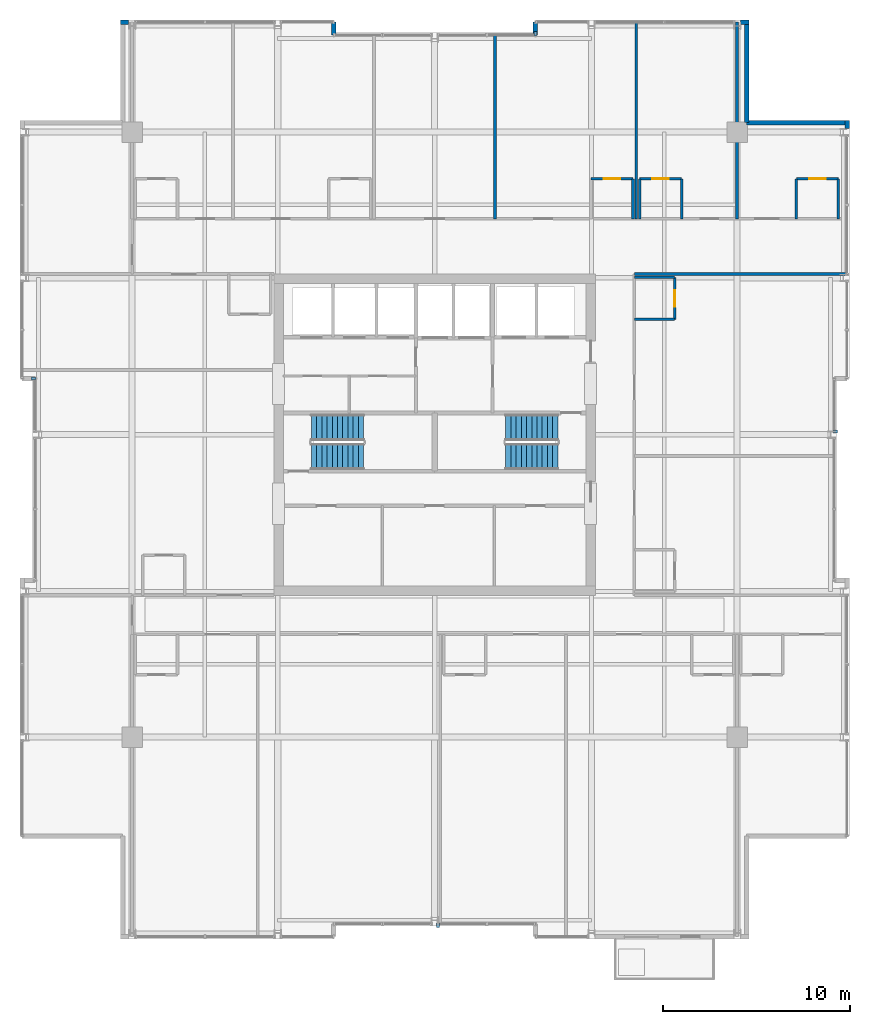
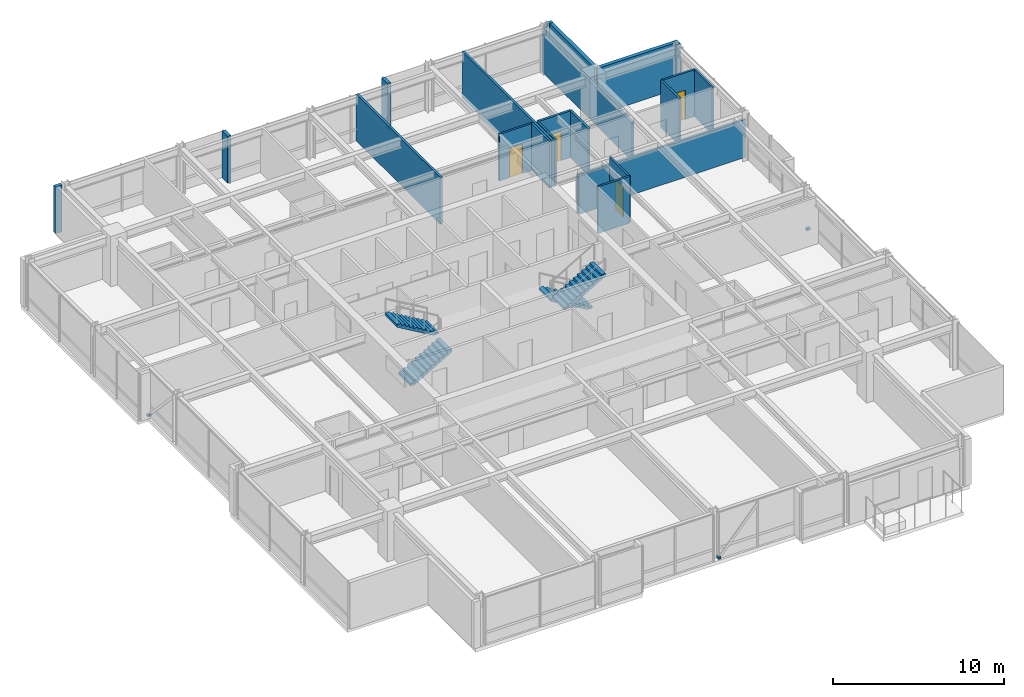
# One storey, part 29 of 32: 22 walls, 4 discrete accessories, 4 doors, 4 stair flights, 4 openings, 2 elements without a shape of their own.
"""IFC4 building model written with IfcOpenShell, lengths in metres."""

from ifc_helpers import new_model, si_unit, direction, frame, frame_2d, origin, origin_2d, place, context, subcontext, project, spatial, polyline, rectangle, outline, extrude, material, layer, layer_set, type_object, element, fill, aggregate, save


model = new_model("IFC4")

# Units and contexts
model_context = context("Model", 3, precision=1e-05, world=origin(), true_north=direction((0.0, 1.0)))
body_context = subcontext(model_context, "Body", "Model", "MODEL_VIEW")
ifc_project = project(units=[si_unit("LENGTHUNIT", "METRE"), si_unit("AREAUNIT", "SQUARE_METRE"), si_unit("VOLUMEUNIT", "CUBIC_METRE"), si_unit("PLANEANGLEUNIT", "RADIAN"), si_unit("MASSUNIT", "GRAM", prefix="KILO")], contexts=[model_context])

# Site, building, storey
site_placement = place(None, origin())
site = spatial("IfcSite", under=ifc_project, at=site_placement, CompositionType="ELEMENT")
building_placement = place(site_placement, origin())
building = spatial("IfcBuilding", under=site, at=building_placement, Name="Drelvath Grand Hotel", CompositionType="ELEMENT")
storey_placement = place(building_placement, frame((0.0, 0.0, 241.10009765625)))
storey = spatial("IfcBuildingStorey", under=building, at=storey_placement, Name="L63", CompositionType="ELEMENT", Elevation=241.10009765625)

# Walls
ifc_material_1 = material(Name="Gypsum Fireboard Partition")
ifc_layer_1 = layer(ifc_material_1, 0.135009765625)
ifc_layer_set_1 = layer_set([ifc_layer_1], Name="Gypsum Fireboard Partition")
wall_type_1 = type_object("IfcWallType", Name="Corridor Fire Barrier Wall 135", PredefinedType="PARTITIONING", material=ifc_layer_set_1)
wall_1_placement = place(storey_placement, frame((10.699951171875, 35.60009765625, 0.0), z_axis=(0.0, 0.0, 1.0), x_axis=(1.0, 0.0, 0.0)))
element("IfcWall", 1, at=wall_1_placement, inside=storey, type_object=wall_type_1, Name="L63 North Gallery Inner East Wall", PredefinedType="PARTITIONING", context=body_context, shape_type="SweptSolid", body=[
    extrude(rectangle(XDim=11.380126953125, YDim=0.135009765625, at=frame_2d((5.68994140625, 0.0))), origin(), (0.0, 0.0, 1.0), 2.71728515625),
])
ifc_material_2 = material(Name="Moisture-Resistant Gypsum Board")
ifc_layer_2 = layer(ifc_material_2, 0.139892578125)
ifc_layer_set_2 = layer_set([ifc_layer_2], Name="Moisture-Resistant Gypsum Board")
wall_type_2 = type_object("IfcWallType", Name="En-Suite Plumbing Wall 140", PredefinedType="PLUMBINGWALL", material=ifc_layer_set_2)
for number, where, z_axis, x_axis, name in (
    (2, (19.3701171875, 38.550048828125, 0.0), (0.0, 0.0, 1.0), (0.0, 1.0, 0.0), "L63 En-Suite Left Wall"),
    (3, (21.6201171875, 38.550048828125, 0.0), (0.0, 0.0, 1.0), (0.0, 1.0, 0.0), "L63 En-Suite Right Wall"),
):
    element("IfcWall", number, at=place(storey_placement, frame(where, z_axis=z_axis, x_axis=x_axis)), inside=storey, type_object=wall_type_2, Name=name, PredefinedType="PLUMBINGWALL", context=body_context, shape_type="SweptSolid", body=[
        extrude(rectangle(XDim=2.14990234375, YDim=0.139892578125, at=frame_2d((1.074951171875, 0.0))), origin(), (0.0, 0.0, 1.0), 3.33984375),
    ])

# Wall, opening, door
wall_2_placement = place(storey_placement, frame((19.3701171875, 40.699951171875, 0.0), z_axis=(0.0, 0.0, 1.0), x_axis=(1.0, 0.0, 0.0)))
wall_2 = element("IfcWall", 4, at=wall_2_placement, inside=storey, type_object=wall_type_2, Name="L63 En-Suite Front Wall", PredefinedType="PLUMBINGWALL", context=body_context, shape_type="SweptSolid", body=[
    extrude(rectangle(XDim=2.25, YDim=0.139892578125, at=frame_2d((1.125, 0.0))), origin(), (0.0, 0.0, 1.0), 3.33984375),
])
opening_1_placement = place(wall_2_placement, frame((0.68505859375, 0.0, 0.0)))
opening_1 = element("IfcOpeningElement", 5, at=opening_1_placement, cuts=wall_2, Name="Opening D-T4G4-023", PredefinedType="OPENING", context=body_context, shape_type="SweptSolid", body=[
    extrude(rectangle(XDim=0.8798828125, YDim=2.10009765625, at=frame_2d((0.43994140625, 1.050048828125))), frame((0.0, 0.079833984375, 0.0), z_axis=(0.0, -1.0, 0.0), x_axis=(1.0, 0.0, 0.0)), (0.0, 0.0, 1.0), 0.159912109375),
])
ifc_material_3 = material(Name="Hardwood Walnut Timber", Category="wood")
door_type = type_object("IfcDoorType", Name="En-Suite Bathroom Door 880x2100", OperationType="NOTDEFINED", PredefinedType="DOOR", material=ifc_material_3)
door_1_placement = place(opening_1_placement, origin())
door_1 = element("IfcDoor", 6, at=door_1_placement, inside=storey, type_object=door_type, Name="L63 En-Suite Bathroom Door", OperationType="SINGLE_SWING_RIGHT", OverallHeight=2.10009765625, OverallWidth=0.8798828125, PredefinedType="DOOR", context=body_context, shape_type="SweptSolid", body=[
    extrude(rectangle(XDim=0.8798828125, YDim=2.10009765625, at=frame_2d((0.43994140625, 1.050048828125))), frame((0.0, 0.02490234375, 0.0), z_axis=(0.0, -1.0, 0.0), x_axis=(1.0, 0.0, 0.0)), (0.0, 0.0, 1.0), 0.050048828125),
])
fill(opening_1, door_1)

# Wall
wall_3_placement = place(storey_placement, frame((10.6201171875, 38.550048828125, 0.0), z_axis=(0.0, 0.0, 1.0), x_axis=(0.0, 1.0, 0.0)))
element("IfcWall", 7, at=wall_3_placement, inside=storey, type_object=wall_type_2, Name="L63 En-Suite Right Wall", PredefinedType="PLUMBINGWALL", context=body_context, shape_type="SweptSolid", body=[
    extrude(rectangle(XDim=2.14990234375, YDim=0.139892578125, at=frame_2d((1.074951171875, 0.0))), origin(), (0.0, 0.0, 1.0), 3.33984375),
])

# Wall, opening, door
wall_4_placement = place(storey_placement, frame((8.3701171875, 40.699951171875, 0.0), z_axis=(0.0, 0.0, 1.0), x_axis=(1.0, 0.0, 0.0)))
wall_4 = element("IfcWall", 8, at=wall_4_placement, inside=storey, type_object=wall_type_2, Name="L63 En-Suite Front Wall", PredefinedType="PLUMBINGWALL", context=body_context, shape_type="SweptSolid", body=[
    extrude(rectangle(XDim=2.25, YDim=0.139892578125, at=frame_2d((1.125, 0.0))), origin(), (0.0, 0.0, 1.0), 3.33984375),
])
opening_2_placement = place(wall_4_placement, frame((0.68505859375, 0.0, 0.0)))
opening_2 = element("IfcOpeningElement", 9, at=opening_2_placement, cuts=wall_4, Name="Opening D-T4G4-037", PredefinedType="OPENING", context=body_context, shape_type="SweptSolid", body=[
    extrude(rectangle(XDim=0.8798828125, YDim=2.10009765625, at=frame_2d((0.43994140625, 1.050048828125))), frame((0.0, 0.079833984375, 0.0), z_axis=(0.0, -1.0, 0.0), x_axis=(1.0, 0.0, 0.0)), (0.0, 0.0, 1.0), 0.159912109375),
])
door_2_placement = place(opening_2_placement, origin())
door_2 = element("IfcDoor", 10, at=door_2_placement, inside=storey, type_object=door_type, Name="L63 En-Suite Bathroom Door", OperationType="SINGLE_SWING_RIGHT", OverallHeight=2.10009765625, OverallWidth=0.8798828125, PredefinedType="DOOR", context=body_context, shape_type="SweptSolid", body=[
    extrude(rectangle(XDim=0.8798828125, YDim=2.10009765625, at=frame_2d((0.43994140625, 1.050048828125))), frame((0.0, 0.02490234375, 0.0), z_axis=(0.0, -1.0, 0.0), x_axis=(1.0, 0.0, 0.0)), (0.0, 0.0, 1.0), 0.050048828125),
])
fill(opening_2, door_2)

# Walls
for number, where, z_axis, x_axis, name in (
    (11, (10.97998046875, 38.550048828125, 0.0), (0.0, 0.0, 1.0), (0.0, 1.0, 0.0), "L63 En-Suite Left Wall"),
    (12, (13.22998046875, 38.550048828125, 0.0), (0.0, 0.0, 1.0), (0.0, 1.0, 0.0), "L63 En-Suite Right Wall"),
):
    element("IfcWall", number, at=place(storey_placement, frame(where, z_axis=z_axis, x_axis=x_axis)), inside=storey, type_object=wall_type_2, Name=name, PredefinedType="PLUMBINGWALL", context=body_context, shape_type="SweptSolid", body=[
        extrude(rectangle(XDim=2.14990234375, YDim=0.139892578125, at=frame_2d((1.074951171875, 0.0))), origin(), (0.0, 0.0, 1.0), 3.33984375),
    ])

# Wall, opening, door
wall_5_placement = place(storey_placement, frame((10.97998046875, 40.699951171875, 0.0), z_axis=(0.0, 0.0, 1.0), x_axis=(1.0, 0.0, 0.0)))
wall_5 = element("IfcWall", 13, at=wall_5_placement, inside=storey, type_object=wall_type_2, Name="L63 En-Suite Front Wall", PredefinedType="PLUMBINGWALL", context=body_context, shape_type="SweptSolid", body=[
    extrude(rectangle(XDim=2.25, YDim=0.139892578125, at=frame_2d((1.125, 0.0))), origin(), (0.0, 0.0, 1.0), 3.33984375),
])
opening_3_placement = place(wall_5_placement, frame((0.68505859375, 0.0, 0.0)))
opening_3 = element("IfcOpeningElement", 14, at=opening_3_placement, cuts=wall_5, Name="Opening D-T4G4-039", PredefinedType="OPENING", context=body_context, shape_type="SweptSolid", body=[
    extrude(rectangle(XDim=0.8798828125, YDim=2.10009765625, at=frame_2d((0.43994140625, 1.050048828125))), frame((0.0, 0.079833984375, 0.0), z_axis=(0.0, -1.0, 0.0), x_axis=(1.0, 0.0, 0.0)), (0.0, 0.0, 1.0), 0.159912109375),
])
door_3_placement = place(opening_3_placement, origin())
door_3 = element("IfcDoor", 15, at=door_3_placement, inside=storey, type_object=door_type, Name="L63 En-Suite Bathroom Door", OperationType="SINGLE_SWING_RIGHT", OverallHeight=2.10009765625, OverallWidth=0.8798828125, PredefinedType="DOOR", context=body_context, shape_type="SweptSolid", body=[
    extrude(rectangle(XDim=0.8798828125, YDim=2.10009765625, at=frame_2d((0.43994140625, 1.050048828125))), frame((0.0, 0.02490234375, 0.0), z_axis=(0.0, -1.0, 0.0), x_axis=(1.0, 0.0, 0.0)), (0.0, 0.0, 1.0), 0.050048828125),
])
fill(opening_3, door_3)

# Walls
wall_6_placement = place(storey_placement, frame((10.699951171875, 33.169921875, 0.0), z_axis=(0.0, 0.0, 1.0), x_axis=(1.0, 0.0, 0.0)))
element("IfcWall", 16, at=wall_6_placement, inside=storey, type_object=wall_type_2, Name="L63 En-Suite Left Wall", PredefinedType="PLUMBINGWALL", context=body_context, shape_type="SweptSolid", body=[
    extrude(rectangle(XDim=2.150146484375, YDim=0.139892578125, at=frame_2d((1.0751953125, 0.0))), origin(), (0.0, 0.0, 1.0), 3.33984375),
])
wall_7_placement = place(storey_placement, frame((10.699951171875, 35.419921875, 0.0), z_axis=(0.0, 0.0, 1.0), x_axis=(1.0, 0.0, 0.0)))
element("IfcWall", 17, at=wall_7_placement, inside=storey, type_object=wall_type_2, Name="L63 En-Suite Right Wall", PredefinedType="PLUMBINGWALL", context=body_context, shape_type="SweptSolid", body=[
    extrude(rectangle(XDim=2.150146484375, YDim=0.139892578125, at=frame_2d((1.0751953125, 0.0))), origin(), (0.0, 0.0, 1.0), 2.71728515625),
])

# Wall, opening, door
wall_8_placement = place(storey_placement, frame((12.85009765625, 33.169921875, 0.0), z_axis=(0.0, 0.0, 1.0), x_axis=(0.0, 1.0, 0.0)))
wall_8 = element("IfcWall", 18, at=wall_8_placement, inside=storey, type_object=wall_type_2, Name="L63 En-Suite Front Wall", PredefinedType="PLUMBINGWALL", context=body_context, shape_type="SweptSolid", body=[
    extrude(rectangle(XDim=2.25, YDim=0.139892578125, at=frame_2d((1.125, 0.0))), origin(), (0.0, 0.0, 1.0), 3.33984375),
])
opening_4_placement = place(wall_8_placement, frame((0.68505859375, 0.0, 0.0)))
opening_4 = element("IfcOpeningElement", 19, at=opening_4_placement, cuts=wall_8, Name="Opening D-T4G4-043", PredefinedType="OPENING", context=body_context, shape_type="SweptSolid", body=[
    extrude(rectangle(XDim=0.8798828125, YDim=2.10009765625, at=frame_2d((0.43994140625, 1.050048828125))), frame((0.0, 0.079833984375, 0.0), z_axis=(0.0, -1.0, 0.0), x_axis=(1.0, 0.0, 0.0)), (0.0, 0.0, 1.0), 0.159912109375),
])
door_4_placement = place(opening_4_placement, origin())
door_4 = element("IfcDoor", 20, at=door_4_placement, inside=storey, type_object=door_type, Name="L63 En-Suite Bathroom Door", OperationType="SINGLE_SWING_RIGHT", OverallHeight=2.10009765625, OverallWidth=0.8798828125, PredefinedType="DOOR", context=body_context, shape_type="SweptSolid", body=[
    extrude(rectangle(XDim=0.8798828125, YDim=2.10009765625, at=frame_2d((0.43994140625, 1.050048828125))), frame((0.0, 0.02490234375, 0.0), z_axis=(0.0, -1.0, 0.0), x_axis=(1.0, 0.0, 0.0)), (0.0, 0.0, 1.0), 0.050048828125),
])
fill(opening_4, door_4)

# Walls
ifc_material_4 = material(Name="Gypsum Acoustic Partition")
ifc_layer_3 = layer(ifc_material_4, 0.14990234375)
ifc_layer_set_3 = layer_set([ifc_layer_3], Name="Gypsum Acoustic Partition")
wall_type_3 = type_object("IfcWallType", Name="Guestroom Demising Wall 150", PredefinedType="PARTITIONING", material=ifc_layer_set_3)
wall_9_placement = place(storey_placement, frame((3.239990234375, 38.550048828125, 0.0), z_axis=(0.0, 0.0, 1.0), x_axis=(0.0, 1.0, 0.0)))
element("IfcWall", 21, at=wall_9_placement, inside=storey, type_object=wall_type_3, Name="L63 North Demising 3", PredefinedType="PARTITIONING", context=body_context, shape_type="SweptSolid", body=[
    extrude(rectangle(XDim=9.849853515625, YDim=0.14990234375, at=frame_2d((4.9248046875, 0.0))), origin(), (0.0, 0.0, 1.0), 3.33984375),
])
wall_10_placement = place(storey_placement, frame((10.800048828125, 38.550048828125, 0.0), z_axis=(0.0, 0.0, 1.0), x_axis=(0.0, 1.0, 0.0)))
element("IfcWall", 22, at=wall_10_placement, inside=storey, type_object=wall_type_3, Name="L63 North Demising 4", PredefinedType="PARTITIONING", context=body_context, shape_type="SweptSolid", body=[
    extrude(rectangle(XDim=10.530029296875, YDim=0.14990234375, at=frame_2d((5.26513671875, 0.0))), origin(), (0.0, 0.0, 1.0), 3.33984375),
])
ifc_layer_4 = layer(ifc_material_4, 0.1650390625)
ifc_layer_set_4 = layer_set([ifc_layer_4], Name="Gypsum Acoustic Partition")
wall_type_4 = type_object("IfcWallType", Name="Suite Demising Wall 165", PredefinedType="PARTITIONING", material=ifc_layer_set_4)
wall_11_placement = place(storey_placement, frame((16.199951171875, 38.550048828125, 0.0), z_axis=(0.0, 0.0, 1.0), x_axis=(0.0, 1.0, 0.0)))
element("IfcWall", 23, at=wall_11_placement, inside=storey, type_object=wall_type_4, Name="L63 NE Suite Wall", PredefinedType="PARTITIONING", context=body_context, shape_type="SweptSolid", body=[
    extrude(rectangle(XDim=10.530029296875, YDim=0.1650390625, at=frame_2d((5.26513671875, 0.0))), origin(), (0.0, 0.0, 1.0), 2.713623046875),
])
ifc_material_5 = material(Name="Pale-Metal Insulated Aluminium Spandrel Assembly", Category="aluminium")
ifc_layer_5 = layer(ifc_material_5, 0.239990234375)
ifc_layer_set_5 = layer_set([ifc_layer_5], Name="Pale-Metal Insulated Aluminium Spandrel Assembly")
wall_type_5 = type_object("IfcWallType", Name="Tower Insulated Metal Spandrel Closure Wall 240", PredefinedType="STANDARD", material=ifc_layer_set_5)
for number, where, z_axis, x_axis, name in (
    (24, (22.080078125, 43.820068359375, 0.0), (0.0, 0.0, 1.0), (0.0, -1.0, 0.0), "L63 Corner Pier Spandrel Wall EN3"),
    (25, (-16.820068359375, 49.080078125, 0.0), (0.0, 0.0, 1.0), (1.0, 0.0, 0.0), "L63 Corner Pier Spandrel Wall NW1"),
    (26, (16.378173828125, 49.080078125, 0.0), (0.0, 0.0, 1.0), (1.0, 0.0, 0.0), "L63 Corner Pier Spandrel Wall NE3"),
):
    element("IfcWall", number, at=place(storey_placement, frame(where, z_axis=z_axis, x_axis=x_axis)), inside=storey, type_object=wall_type_5, Name=name, PredefinedType="STANDARD", context=body_context, shape_type="SweptSolid", body=[
        extrude(rectangle(XDim=0.44189453125, YDim=0.239990234375, at=frame_2d((0.220947265625, 0.0))), origin(), (0.0, 0.0, 1.0), 3.33984375),
    ])
for number, where, z_axis, x_axis, name in (
    (27, (16.699951171875, 48.9599609375, 0.0), (0.0, 0.0, 1.0), (0.0, -1.0, 0.0), "L63 Notched Corner Return Spandrel Wall CNE1"),
    (28, (16.699951171875, 43.699951171875, 0.0), (0.0, 0.0, 1.0), (1.0, 0.0, 0.0), "L63 Notched Corner Return Spandrel Wall CNE2"),
):
    element("IfcWall", number, at=place(storey_placement, frame(where, z_axis=z_axis, x_axis=x_axis)), inside=storey, type_object=wall_type_5, Name=name, PredefinedType="STANDARD", context=body_context, shape_type="SweptSolid", body=[
        extrude(rectangle(XDim=5.260009765625, YDim=0.239990234375, at=frame_2d((2.6298828125, 0.0))), origin(), (0.0, 0.0, 1.0), 3.33984375),
    ])
for number, where, z_axis, x_axis, name in (
    (29, (-5.39990234375, 49.080078125, 0.0), (0.0, 0.0, 1.0), (0.0, -1.0, 0.0), "L63 Notched Corner Return Spandrel Wall RN1"),
    (30, (5.39990234375, 48.39990234375, 0.0), (0.0, 0.0, 1.0), (0.0, 1.0, 0.0), "L63 Notched Corner Return Spandrel Wall RN2"),
):
    element("IfcWall", number, at=place(storey_placement, frame(where, z_axis=z_axis, x_axis=x_axis)), inside=storey, type_object=wall_type_5, Name=name, PredefinedType="STANDARD", context=body_context, shape_type="SweptSolid", body=[
        extrude(rectangle(XDim=0.68017578125, YDim=0.239990234375, at=frame_2d((0.340087890625, 0.0))), origin(), (0.0, 0.0, 1.0), 3.33984375),
    ])

# Stair, stair flights
ifc_material_6 = material(Name="Concrete C40/50", Category="concrete")
stair_type = type_object("IfcStairType", Name="Dogleg Exit Stair W1400-R163.6", PredefinedType="HALF_TURN_STAIR", material=ifc_material_6)
stair_1_placement = place(storey_placement, origin())
stair_1 = element("IfcStair", 31, at=stair_1_placement, inside=storey, type_object=stair_type, Name="L63 Core Exit Stair ST-1", PredefinedType="HALF_TURN_STAIR")
stair_flight_type = type_object("IfcStairFlightType", Name="Concrete Stair Flight W1400-R163.6", PredefinedType="STRAIGHT", material=ifc_material_6)
stair_flight_1_placement = place(storey_placement, frame((-6.60009765625, 25.820068359375, 0.0), z_axis=(0.0, 0.0, 1.0), x_axis=(1.0, 0.0, 0.0)))
stair_flight_1 = element("IfcStairFlight", 32, at=stair_flight_1_placement, type_object=stair_flight_type, Name="ST-1 flight 1", NumberOfRisers=11, NumberOfTreads=10, PredefinedType="STRAIGHT", RiserHeight=0.163636364, TreadLength=0.28, context=body_context, shape_type="SweptSolid", body=[
    extrude(outline(polyline([(0.0, 0.0), (0.0, 0.16357421875), (0.280029296875, 0.16357421875), (0.280029296875, 0.327392578125), (0.56005859375, 0.327392578125), (0.56005859375, 0.490966796875), (0.840087890625, 0.490966796875), (0.840087890625, 0.654541015625), (1.1201171875, 0.654541015625), (1.1201171875, 0.818115234375), (1.39990234375, 0.818115234375), (1.39990234375, 0.98193359375), (1.679931640625, 0.98193359375), (1.679931640625, 1.1455078125), (1.9599609375, 1.1455078125), (1.9599609375, 1.30908203125), (2.239990234375, 1.30908203125), (2.239990234375, 1.47265625), (2.52001953125, 1.47265625), (2.52001953125, 1.636474609375), (2.800048828125, 1.636474609375), (2.800048828125, 1.800048828125), (2.800048828125, 1.451171875), (0.31689453125, 0.0), (0.0, 0.0)])), frame((0.0, 0.699951171875, 0.0), z_axis=(0.0, -1.0, 0.0), x_axis=(1.0, 0.0, 0.0)), (0.0, 0.0, 1.0), 1.39990234375),
])
stair_flight_2_placement = place(storey_placement, frame((-3.800048828125, 27.3798828125, 1.7998046875), z_axis=(0.0, 0.0, 1.0), x_axis=(-1.0, 0.0, 0.0)))
stair_flight_2 = element("IfcStairFlight", 33, at=stair_flight_2_placement, type_object=stair_flight_type, Name="ST-1 flight 2", NumberOfRisers=11, NumberOfTreads=10, PredefinedType="STRAIGHT", RiserHeight=0.163636364, TreadLength=0.28, context=body_context, shape_type="SweptSolid", body=[
    extrude(outline(polyline([(0.0, 0.0), (0.0, 0.16357421875), (0.280029296875, 0.16357421875), (0.280029296875, 0.327392578125), (0.56005859375, 0.327392578125), (0.56005859375, 0.490966796875), (0.840087890625, 0.490966796875), (0.840087890625, 0.654541015625), (1.1201171875, 0.654541015625), (1.1201171875, 0.818115234375), (1.39990234375, 0.818115234375), (1.39990234375, 0.98193359375), (1.679931640625, 0.98193359375), (1.679931640625, 1.1455078125), (1.9599609375, 1.1455078125), (1.9599609375, 1.30908203125), (2.239990234375, 1.30908203125), (2.239990234375, 1.47265625), (2.52001953125, 1.47265625), (2.52001953125, 1.636474609375), (2.800048828125, 1.636474609375), (2.800048828125, 1.800048828125), (2.800048828125, 1.451171875), (0.31689453125, 0.0), (0.0, 0.0)])), frame((0.0, 0.699951171875, 0.0), z_axis=(0.0, -1.0, 0.0), x_axis=(1.0, 0.0, 0.0)), (0.0, 0.0, 1.0), 1.39990234375),
])
aggregate(stair_1, [stair_flight_1, stair_flight_2])

stair_2_placement = place(storey_placement, origin())
stair_2 = element("IfcStair", 34, at=stair_2_placement, inside=storey, type_object=stair_type, Name="L63 Core Exit Stair ST-2", PredefinedType="HALF_TURN_STAIR")
stair_flight_3_placement = place(storey_placement, frame((6.60009765625, 27.3798828125, 0.0), z_axis=(0.0, 0.0, 1.0), x_axis=(-1.0, 0.0, 0.0)))
stair_flight_3 = element("IfcStairFlight", 35, at=stair_flight_3_placement, type_object=stair_flight_type, Name="ST-2 flight 1", NumberOfRisers=11, NumberOfTreads=10, PredefinedType="STRAIGHT", RiserHeight=0.163636364, TreadLength=0.28, context=body_context, shape_type="SweptSolid", body=[
    extrude(outline(polyline([(0.0, 0.0), (0.0, 0.16357421875), (0.280029296875, 0.16357421875), (0.280029296875, 0.327392578125), (0.56005859375, 0.327392578125), (0.56005859375, 0.490966796875), (0.840087890625, 0.490966796875), (0.840087890625, 0.654541015625), (1.1201171875, 0.654541015625), (1.1201171875, 0.818115234375), (1.39990234375, 0.818115234375), (1.39990234375, 0.98193359375), (1.679931640625, 0.98193359375), (1.679931640625, 1.1455078125), (1.9599609375, 1.1455078125), (1.9599609375, 1.30908203125), (2.239990234375, 1.30908203125), (2.239990234375, 1.47265625), (2.52001953125, 1.47265625), (2.52001953125, 1.636474609375), (2.800048828125, 1.636474609375), (2.800048828125, 1.800048828125), (2.800048828125, 1.451171875), (0.31689453125, 0.0), (0.0, 0.0)])), frame((0.0, 0.699951171875, 0.0), z_axis=(0.0, -1.0, 0.0), x_axis=(1.0, 0.0, 0.0)), (0.0, 0.0, 1.0), 1.39990234375),
])
stair_flight_4_placement = place(storey_placement, frame((3.800048828125, 25.820068359375, 1.7998046875), z_axis=(0.0, 0.0, 1.0), x_axis=(1.0, 0.0, 0.0)))
stair_flight_4 = element("IfcStairFlight", 36, at=stair_flight_4_placement, type_object=stair_flight_type, Name="ST-2 flight 2", NumberOfRisers=11, NumberOfTreads=10, PredefinedType="STRAIGHT", RiserHeight=0.163636364, TreadLength=0.28, context=body_context, shape_type="SweptSolid", body=[
    extrude(outline(polyline([(0.0, 0.0), (0.0, 0.16357421875), (0.280029296875, 0.16357421875), (0.280029296875, 0.327392578125), (0.56005859375, 0.327392578125), (0.56005859375, 0.490966796875), (0.840087890625, 0.490966796875), (0.840087890625, 0.654541015625), (1.1201171875, 0.654541015625), (1.1201171875, 0.818115234375), (1.39990234375, 0.818115234375), (1.39990234375, 0.98193359375), (1.679931640625, 0.98193359375), (1.679931640625, 1.1455078125), (1.9599609375, 1.1455078125), (1.9599609375, 1.30908203125), (2.239990234375, 1.30908203125), (2.239990234375, 1.47265625), (2.52001953125, 1.47265625), (2.52001953125, 1.636474609375), (2.800048828125, 1.636474609375), (2.800048828125, 1.800048828125), (2.800048828125, 1.451171875), (0.31689453125, 0.0), (0.0, 0.0)])), frame((0.0, 0.699951171875, 0.0), z_axis=(0.0, -1.0, 0.0), x_axis=(1.0, 0.0, 0.0)), (0.0, 0.0, 1.0), 1.39990234375),
])
aggregate(stair_2, [stair_flight_3, stair_flight_4])

# Discrete accessories
ifc_material_7 = material(Name="Stainless Steel Grade 316", Category="steel")
discrete_accessory_type = type_object("IfcDiscreteAccessoryType", Name="Curtain Wall Fin Mounting Bracket Cleat", PredefinedType="BRACKET", material=ifc_material_7)
for number, where, z_axis, x_axis, name in (
    (37, (-21.4599609375, 30.0, 0.10009765625), (0.0, 0.0, 1.0), (0.0, 1.0, 0.0), "L63 Fin Mounting Bracket CW05-L63-WM2-1"),
    (38, (21.4599609375, 27.17822265625, 0.10009765625), (0.0, 0.0, 1.0), (0.0, -1.0, 0.0), "L63 Fin Mounting Bracket CW05-L63-EM2-1"),
    (39, (5.39990234375, 48.4599609375, 0.10009765625), (0.0, 0.0, 1.0), (1.0, 0.0, 0.0), "L63 Fin Mounting Bracket CW05-L63-NM2-1"),
    (40, (0.17822265625, 0.739990234375, 0.10009765625), (0.0, 0.0, 1.0), (-1.0, 0.0, 0.0), "L63 Fin Mounting Bracket CW05-L63-SM2-1"),
):
    element("IfcDiscreteAccessory", number, at=place(storey_placement, frame(where, z_axis=z_axis, x_axis=x_axis)), inside=storey, type_object=discrete_accessory_type, Name=name, PredefinedType="BRACKET", context=body_context, shape_type="SweptSolid", body=[
        extrude(rectangle(XDim=0.159912109375, YDim=0.239990234375, at=origin_2d()), origin(), (0.0, 0.0, 1.0), 0.159912109375),
    ])

save(model, "model.ifc")
